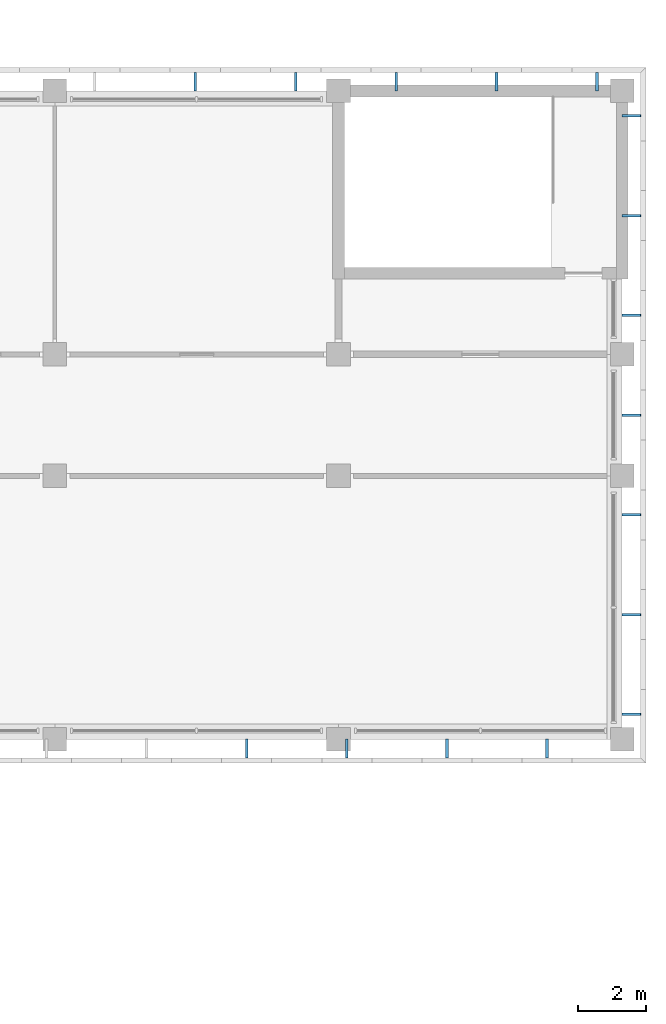
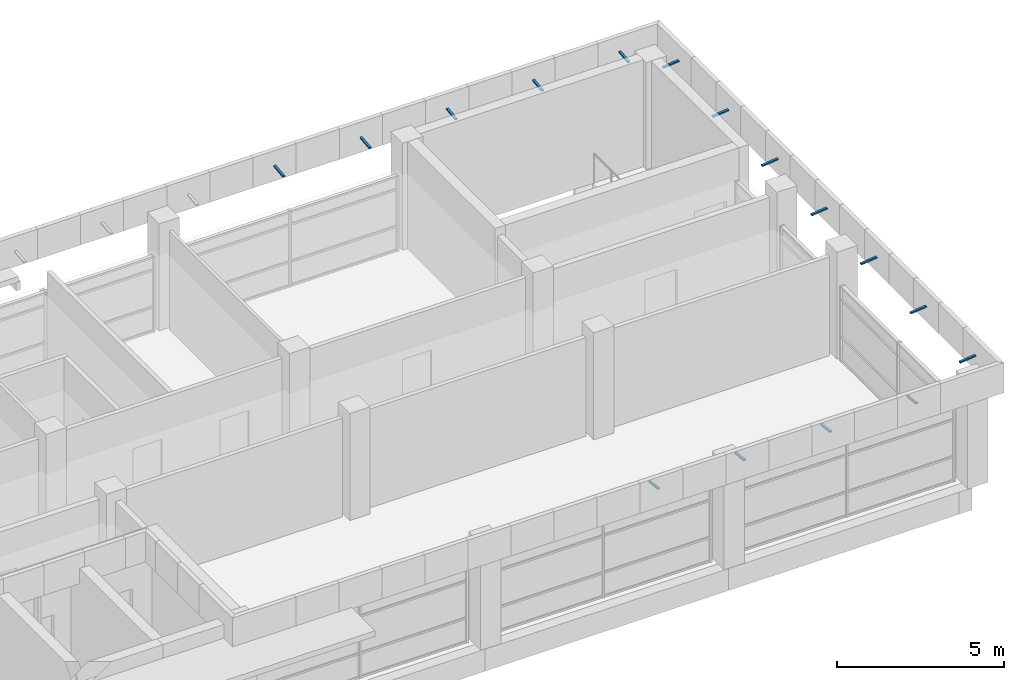
# One storey, part 29 of 36: 16 discrete accessories.
"""IFC4 building model written with IfcOpenShell, lengths in metres."""

from ifc_helpers import new_model, si_unit, direction, frame, origin, origin_2d, place, context, subcontext, project, spatial, rectangle, extrude, material, material_profile, profile_set, type_object, element, save


model = new_model("IFC4")

# Units and contexts
model_context = context("Model", 3, precision=1e-05, world=origin(), true_north=direction((0.0, 1.0)))
body_context = subcontext(model_context, "Body", "Model", "MODEL_VIEW")
ifc_project = project(units=[si_unit("LENGTHUNIT", "METRE"), si_unit("AREAUNIT", "SQUARE_METRE"), si_unit("VOLUMEUNIT", "CUBIC_METRE"), si_unit("PLANEANGLEUNIT", "RADIAN"), si_unit("MASSUNIT", "GRAM", prefix="KILO")], contexts=[model_context])

# Site, building, storey
site_placement = place(None, origin())
site = spatial("IfcSite", under=ifc_project, at=site_placement, CompositionType="ELEMENT")
building_placement = place(site_placement, origin())
building = spatial("IfcBuilding", under=site, at=building_placement, Name="Bougainvillea Quay General Hospital", CompositionType="ELEMENT")
storey_placement = place(building_placement, frame((0.0, 0.0, 32.699951171875)))
storey = spatial("IfcBuildingStorey", under=building, at=storey_placement, Name="L07", CompositionType="ELEMENT", Elevation=32.699951171875)

# Discrete accessories
ifc_material = material(Name="Stainless steel bracket, grade 316", Category="steel")
ifc_material_profile = material_profile(ifc_material, rectangle(XDim=0.080078125, YDim=0.050048828125, at=origin_2d()))
ifc_profile_set = profile_set([ifc_material_profile], Name="Stainless steel bracket, grade 316")
discrete_accessory_type = type_object("IfcDiscreteAccessoryType", Name="Stainless steel stand-off bracket 80x50", PredefinedType="BRACKET", material=ifc_profile_set)
for number, where, z_axis, x_axis, name in (
    (1, (184.05615234375, 159.60009765625, 3.840087890625), (0.0, 0.994086591779, 0.108590276011), (-1.0, 0.0, 0.0), "Fascia bracket e0 1"),
    (2, (181.081298828125, 159.60009765625, 3.840087890625), (0.0, 0.994086591779, 0.108590276011), (-1.0, 0.0, 0.0), "Fascia bracket e0 3"),
    (3, (178.106201171875, 159.60009765625, 3.840087890625), (0.0, 0.994086591779, 0.108590276011), (-1.0, 0.0, 0.0), "Fascia bracket e0 5"),
    (4, (175.13134765625, 159.60009765625, 3.840087890625), (0.0, 0.994086591779, 0.108590276011), (-1.0, 0.0, 0.0), "Fascia bracket e0 7"),
    (5, (172.15625, 159.60009765625, 3.840087890625), (0.0, 0.994086591779, 0.108590276011), (-1.0, 0.0, 0.0), "Fascia bracket e0 9"),
    (6, (173.682373046875, 140.39990234375, 3.840087890625), (0.0, -0.994086591779, 0.108590276011), (1.0, 0.0, 0.0), "Fascia bracket e0 215"),
    (7, (176.64697265625, 140.39990234375, 3.840087890625), (0.0, -0.994086591779, 0.108590276011), (1.0, 0.0, 0.0), "Fascia bracket e0 217"),
    (8, (179.61181640625, 140.39990234375, 3.840087890625), (0.0, -0.994086591779, 0.108590276011), (1.0, 0.0, 0.0), "Fascia bracket e0 219"),
    (9, (182.576416015625, 140.39990234375, 3.840087890625), (0.0, -0.994086591779, 0.108590276011), (1.0, 0.0, 0.0), "Fascia bracket e0 221"),
):
    element("IfcDiscreteAccessory", number, at=place(storey_placement, frame(where, z_axis=z_axis, x_axis=x_axis)), inside=storey, type_object=discrete_accessory_type, Name=name, PredefinedType="BRACKET", context=body_context, shape_type="SweptSolid", body=[
        extrude(rectangle(XDim=0.080078125, YDim=0.050048828125, at=origin_2d()), origin(), (0.0, 0.0, 1.0), 0.552978515625),
    ])
for number, where, z_axis, x_axis, name in (
    (10, (184.800048828125, 141.138427734375, 3.840087890625), (0.994091793559, 0.0, 0.108542645901), (0.0, 1.0, 0.0), "Fascia bracket e0 223"),
    (11, (184.800048828125, 144.09228515625, 3.840087890625), (0.994091793559, 0.0, 0.108542645901), (0.0, 1.0, 0.0), "Fascia bracket e0 225"),
    (12, (184.800048828125, 147.046142578125, 3.840087890625), (0.994091793559, 0.0, 0.108542645901), (0.0, 1.0, 0.0), "Fascia bracket e0 227"),
    (13, (184.800048828125, 150.0, 3.840087890625), (0.994091793559, 0.0, 0.108542645901), (0.0, 1.0, 0.0), "Fascia bracket e0 229"),
    (14, (184.800048828125, 152.953857421875, 3.840087890625), (0.994091793559, 0.0, 0.108542645901), (0.0, 1.0, 0.0), "Fascia bracket e0 231"),
    (15, (184.800048828125, 155.90771484375, 3.840087890625), (0.994091793559, 0.0, 0.108542645901), (0.0, 1.0, 0.0), "Fascia bracket e0 233"),
    (16, (184.800048828125, 158.861572265625, 3.840087890625), (0.994091793559, 0.0, 0.108542645901), (0.0, 1.0, 0.0), "Fascia bracket e0 235"),
):
    element("IfcDiscreteAccessory", number, at=place(storey_placement, frame(where, z_axis=z_axis, x_axis=x_axis)), inside=storey, type_object=discrete_accessory_type, Name=name, PredefinedType="BRACKET", context=body_context, shape_type="SweptSolid", body=[
        extrude(rectangle(XDim=0.080078125, YDim=0.050048828125, at=origin_2d()), origin(), (0.0, 0.0, 1.0), 0.55322265625),
    ])

save(model, "model.ifc")
